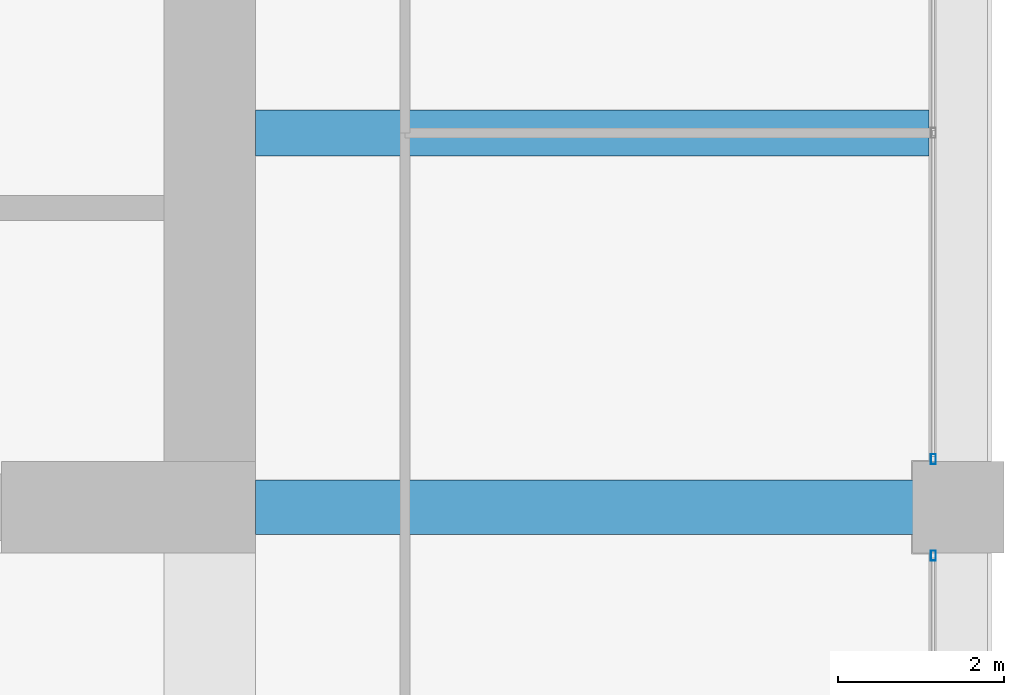
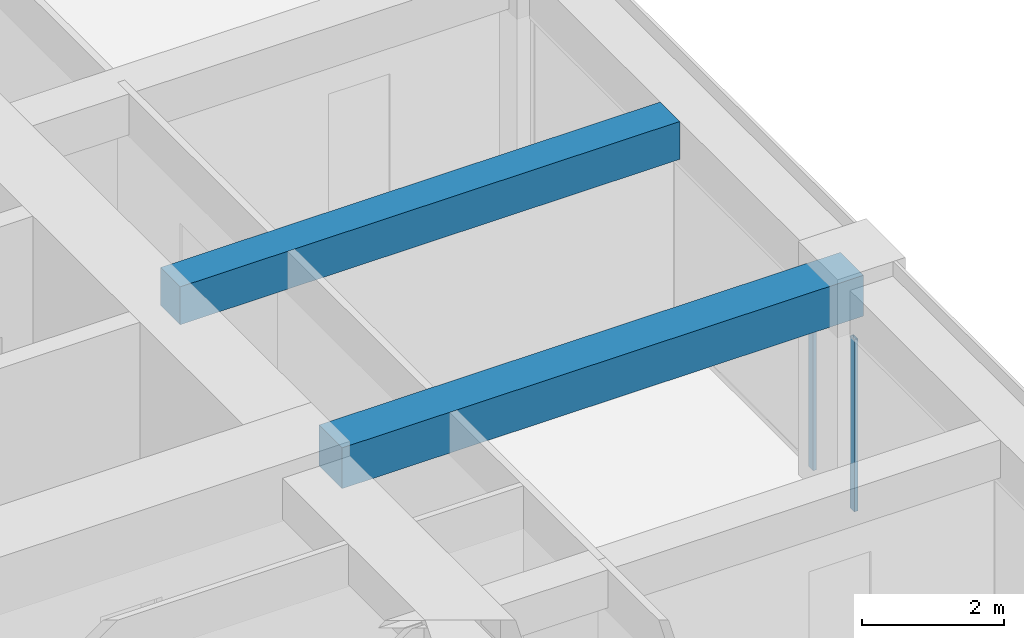
# One storey, part 24 of 45: 2 beams, 2 members, 2 elements without a shape of their own.
"""IFC4 building model written with IfcOpenShell, lengths in metres."""

from ifc_helpers import new_model, si_unit, direction, frame, origin, origin_2d, place, context, subcontext, project, spatial, rectangle, hollow_rectangle, extrude, material, material_profile, profile_set, type_object, element, aggregate, save


model = new_model("IFC4")

# Units and contexts
model_context = context("Model", 3, precision=1e-05, world=origin(), true_north=direction((0.0, 1.0)))
body_context = subcontext(model_context, "Body", "Model", "MODEL_VIEW")
ifc_project = project(units=[si_unit("LENGTHUNIT", "METRE"), si_unit("AREAUNIT", "SQUARE_METRE"), si_unit("VOLUMEUNIT", "CUBIC_METRE"), si_unit("PLANEANGLEUNIT", "RADIAN"), si_unit("MASSUNIT", "GRAM", prefix="KILO")], contexts=[model_context])

# Site, building, storey
site_placement = place(None, origin())
site = spatial("IfcSite", under=ifc_project, at=site_placement, CompositionType="ELEMENT")
building_placement = place(site_placement, origin())
building = spatial("IfcBuilding", under=site, at=building_placement, Name="Zorevar Civic Tower", CompositionType="ELEMENT")
storey_placement = place(building_placement, frame((0.0, 0.0, 303.39990234375)))
storey = spatial("IfcBuildingStorey", under=building, at=storey_placement, Name="L74", CompositionType="ELEMENT", Elevation=303.39990234375)

# Beams
ifc_material_1 = material(Name="Concrete C50/60", Category="concrete")
ifc_material_profile_1 = material_profile(ifc_material_1, rectangle(XDim=0.550048828125, YDim=0.64990234375, at=origin_2d()), Name="RC 550x650")
ifc_profile_set_1 = profile_set([ifc_material_profile_1], Name="Concrete C50/60")
beam_type_1 = type_object("IfcBeamType", Name="Beam RC 550x650", PredefinedType="BEAM", material=ifc_profile_set_1)
beam_1_placement = place(storey_placement, frame((45.550048828125, 22.5, 3.425048828125), z_axis=(1.0, 0.0, 0.0), x_axis=(0.0, 1.0, 0.0)))
element("IfcBeam", 1, at=beam_1_placement, inside=storey, type_object=beam_type_1, Name="Secondary beam L75", PredefinedType="BEAM", context=body_context, shape_type="SweptSolid", body=[
    extrude(rectangle(XDim=0.550048828125, YDim=0.64990234375, at=origin_2d()), origin(), (0.0, 0.0, 1.0), 8.099853515625),
])
ifc_material_2 = material(Name="Concrete C50/60", Category="concrete")
ifc_material_profile_2 = material_profile(ifc_material_2, rectangle(XDim=0.64990234375, YDim=0.699951171875, at=origin_2d()), Name="RC 650x700")
ifc_profile_set_2 = profile_set([ifc_material_profile_2], Name="Concrete C50/60")
beam_type_2 = type_object("IfcBeamType", Name="Beam RC 650x700", PredefinedType="BEAM", material=ifc_profile_set_2)
beam_2_placement = place(storey_placement, frame((45.550048828125, 18.0, 3.400146484375), z_axis=(1.0, 0.0, 0.0), x_axis=(0.0, 1.0, 0.0)))
element("IfcBeam", 2, at=beam_2_placement, inside=storey, type_object=beam_type_2, Name="Girder L75", PredefinedType="BEAM", context=body_context, shape_type="SweptSolid", body=[
    extrude(rectangle(XDim=0.64990234375, YDim=0.699951171875, at=origin_2d()), origin(), (0.0, 0.0, 1.0), 8.449951171875),
])

# Curtain wall, member
ifc_material_3 = material(Name="Dark grey solar-control glass in black aluminium frame", Category="aluminium")
curtain_wall_type = type_object("IfcCurtainWallType", Name="Curtain wall CW5 top zone", PredefinedType="NOTDEFINED", material=ifc_material_3)
curtain_wall_1_placement = place(storey_placement, origin())
curtain_wall_1 = element("IfcCurtainWall", 3, at=curtain_wall_1_placement, inside=storey, type_object=curtain_wall_type, Name="CW5 L74", PredefinedType="NOTDEFINED")
ifc_material_4 = material(Name="Aluminium, black anodised", Category="aluminium")
ifc_material_profile_3 = material_profile(ifc_material_4, hollow_rectangle(XDim=0.06005859375, YDim=0.1201171875, WallThickness=0.0029296875, at=origin_2d()), Name="AL 120x60x3")
ifc_profile_set_3 = profile_set([ifc_material_profile_3], Name="Aluminium, black anodised")
member_type = type_object("IfcMemberType", Name="CW5 mullion AL 120x60x3", PredefinedType="MULLION", material=ifc_profile_set_3)
member_1_placement = place(storey_placement, frame((53.699951171875, 17.419921875, 0.0), z_axis=(0.0, 0.0, 1.0), x_axis=(-1.0, 0.0, 0.0)))
member_1 = element("IfcMember", 4, at=member_1_placement, type_object=member_type, Name="CW5 mullion 3", PredefinedType="MULLION", context=body_context, shape_type="SweptSolid", body=[
    extrude(hollow_rectangle(XDim=0.06005859375, YDim=0.1201171875, WallThickness=0.0029296875, at=origin_2d()), origin(), (0.0, 0.0, 1.0), 2.9501953125),
])
aggregate(curtain_wall_1, [member_1])

curtain_wall_2_placement = place(storey_placement, origin())
curtain_wall_2 = element("IfcCurtainWall", 5, at=curtain_wall_2_placement, inside=storey, type_object=curtain_wall_type, Name="CW5 L74", PredefinedType="NOTDEFINED")
member_2_placement = place(storey_placement, frame((53.699951171875, 18.580078125, 0.0), z_axis=(0.0, 0.0, 1.0), x_axis=(-1.0, 0.0, 0.0)))
member_2 = element("IfcMember", 6, at=member_2_placement, type_object=member_type, Name="CW5 mullion 1", PredefinedType="MULLION", context=body_context, shape_type="SweptSolid", body=[
    extrude(hollow_rectangle(XDim=0.06005859375, YDim=0.1201171875, WallThickness=0.0029296875, at=origin_2d()), origin(), (0.0, 0.0, 1.0), 2.9501953125),
])
aggregate(curtain_wall_2, [member_2])

save(model, "model.ifc")
